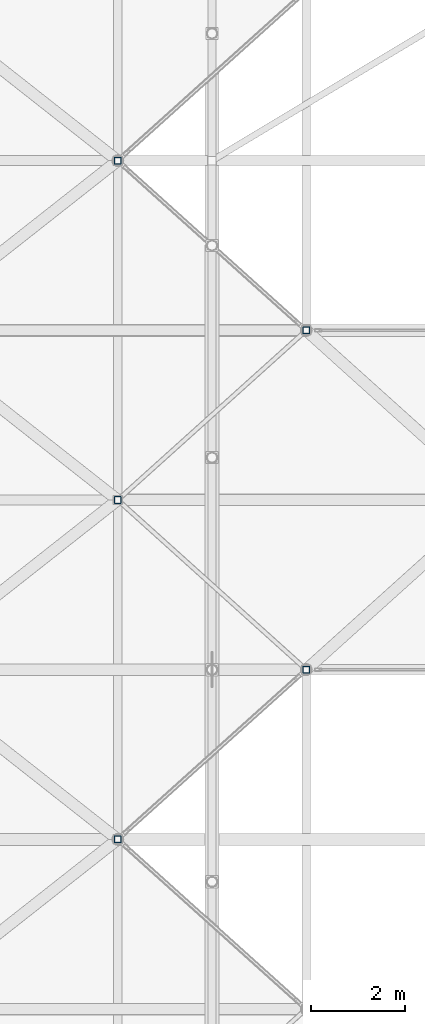
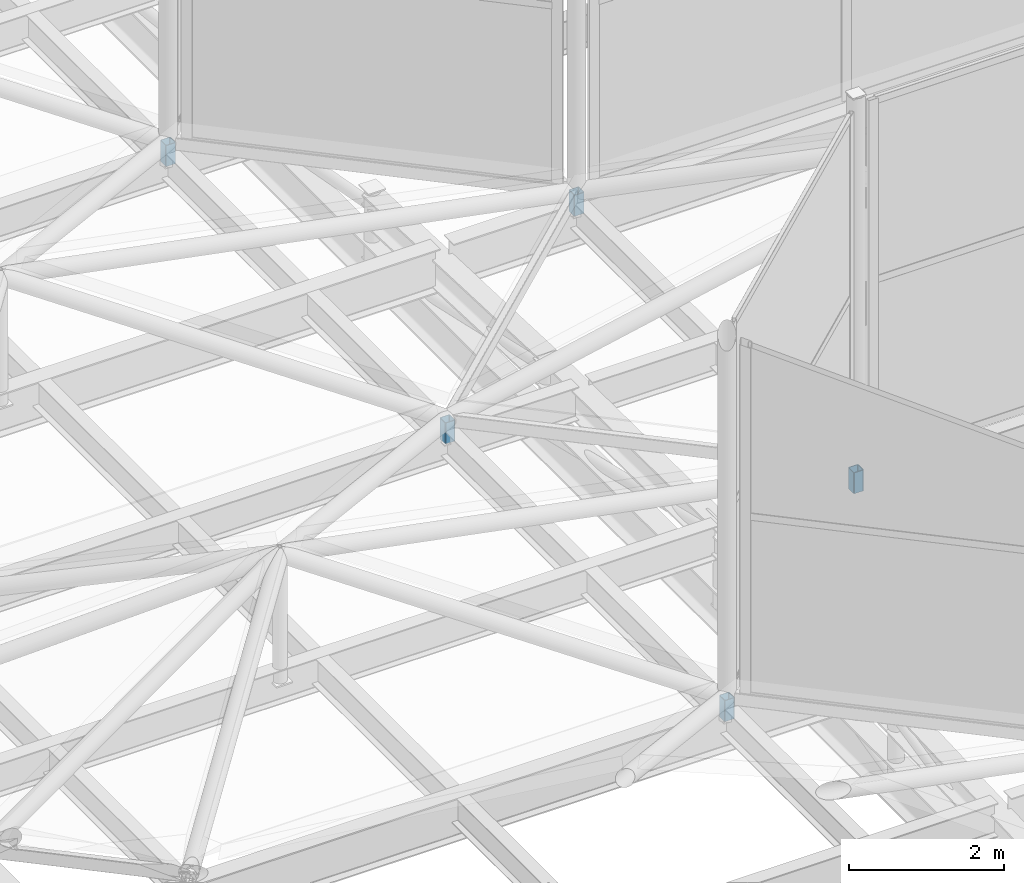
# One storey, part 198 of 239: 5 members.
"""IFC4 building model written with IfcOpenShell, lengths in metres."""

from ifc_helpers import new_model, si_unit, direction, frame, origin, origin_2d, place, context, subcontext, project, spatial, hollow_rectangle, extrude, material, material_profile, profile_set, type_object, element, save


model = new_model("IFC4")

# Units and contexts
model_context = context("Model", 3, precision=1e-05, world=origin(), true_north=direction((0.0, 1.0)))
body_context = subcontext(model_context, "Body", "Model", "MODEL_VIEW")
ifc_project = project(units=[si_unit("LENGTHUNIT", "METRE"), si_unit("AREAUNIT", "SQUARE_METRE"), si_unit("VOLUMEUNIT", "CUBIC_METRE"), si_unit("PLANEANGLEUNIT", "RADIAN"), si_unit("MASSUNIT", "GRAM", prefix="KILO")], contexts=[model_context])

# Site, building, storey
site_placement = place(None, origin())
site = spatial("IfcSite", under=ifc_project, at=site_placement, CompositionType="ELEMENT")
building_placement = place(site_placement, origin())
building = spatial("IfcBuilding", under=site, at=building_placement, Name="Dunvalen Ferry Terminal", CompositionType="ELEMENT")
storey_placement = place(building_placement, frame((0.0, 0.0, 9.840087890625)))
storey = spatial("IfcBuildingStorey", under=building, at=storey_placement, Name="L02", CompositionType="ELEMENT", Elevation=9.840087890625)

# Members
ifc_material = material(Name="Steel S355", Category="steel")
ifc_material_profile = material_profile(ifc_material, hollow_rectangle(XDim=0.14990234375, YDim=0.14990234375, WallThickness=0.008056640625, InnerFilletRadius=0.008056640625, OuterFilletRadius=0.01611328125, at=origin_2d()), Name="Steel S355")
ifc_profile_set = profile_set([ifc_material_profile], Name="Steel S355")
member_type = type_object("IfcMemberType", Name="STR-MB-SHS150", PredefinedType="BRACE", material=ifc_profile_set)
for number, where, z_axis, x_axis, name in (
    (1, (22.0, 64.800048828125, 0.77001953125), (0.0, 0.0, 1.0), (1.0, 0.0, 0.0), "HEX-08 Rim Pedestal Strut 6"),
    (2, (26.0, 68.39990234375, 0.77001953125), (0.0, 0.0, 1.0), (1.0, 0.0, 0.0), "HEX-09 Rim Pedestal Strut 5"),
    (3, (22.0, 72.0, 0.77001953125), (0.0, 0.0, 1.0), (1.0, 0.0, 0.0), "HEX-09 Rim Pedestal Strut 6"),
    (4, (26.0, 75.60009765625, 0.77001953125), (0.0, 0.0, 1.0), (1.0, 0.0, 0.0), "HEX-10 Rim Pedestal Strut 5"),
    (5, (22.0, 79.199951171875, 0.77001953125), (0.0, 0.0, 1.0), (1.0, 0.0, 0.0), "HEX-10 Rim Pedestal Strut 6"),
):
    element("IfcMember", number, at=place(storey_placement, frame(where, z_axis=z_axis, x_axis=x_axis)), inside=storey, type_object=member_type, Name=name, PredefinedType="BRACE", context=body_context, shape_type="SweptSolid", body=[
        extrude(hollow_rectangle(XDim=0.14990234375, YDim=0.14990234375, WallThickness=0.008056640625, InnerFilletRadius=0.008056640625, OuterFilletRadius=0.01611328125, at=origin_2d()), origin(), (0.0, 0.0, 1.0), 0.329833984375),
    ])

save(model, "model.ifc")
